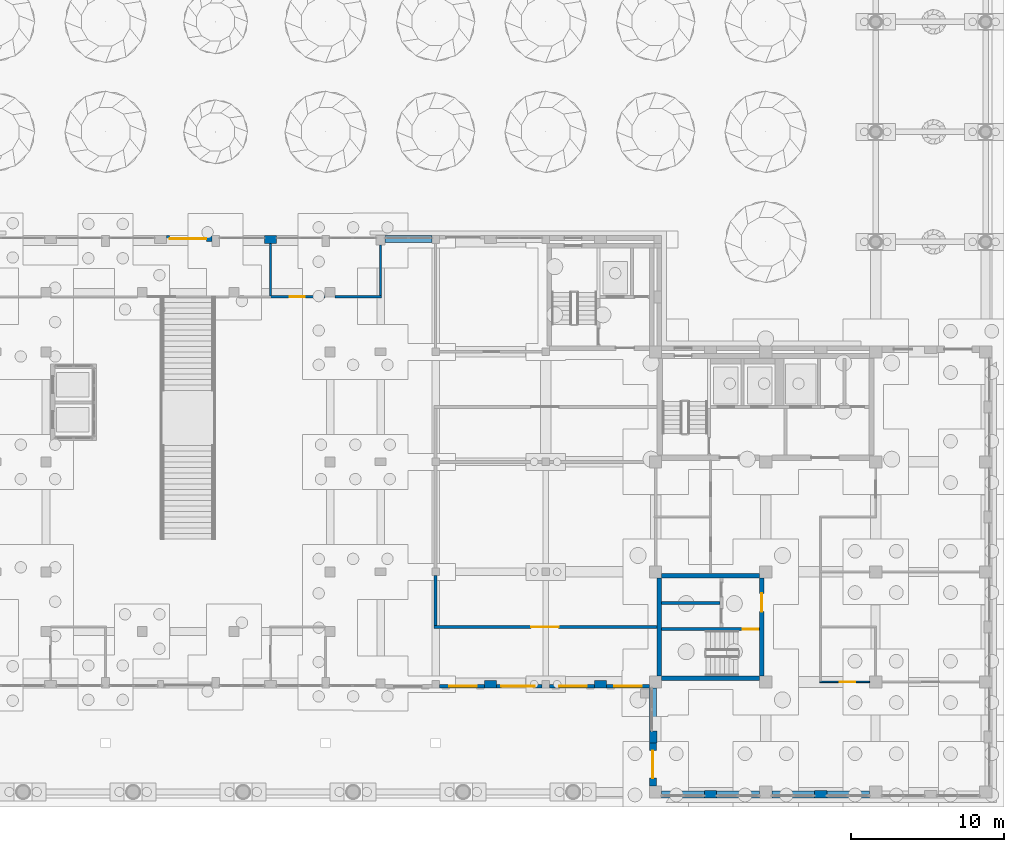
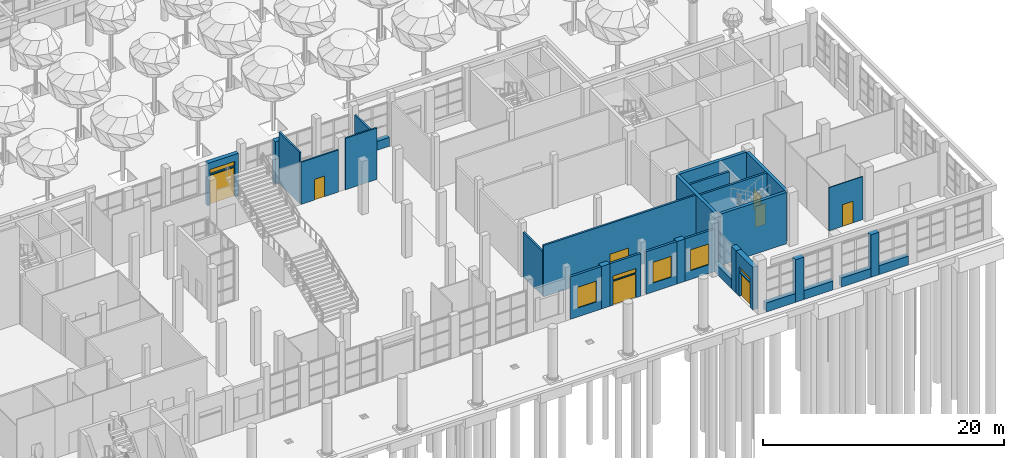
# One storey, part 44 of 80: 31 walls, 8 doors, 6 windows, 14 openings.
"""IFC4 building model written with IfcOpenShell, lengths in metres."""

from ifc_helpers import new_model, si_unit, direction, frame, frame_2d, origin, place, context, subcontext, project, spatial, rectangle, extrude, material, layer, layer_set, type_object, element, fill, save


model = new_model("IFC4")

# Units and contexts
model_context = context("Model", 3, precision=1e-05, world=origin(), true_north=direction((0.0, 1.0)))
body_context = subcontext(model_context, "Body", "Model", "MODEL_VIEW")
ifc_project = project(units=[si_unit("LENGTHUNIT", "METRE"), si_unit("AREAUNIT", "SQUARE_METRE"), si_unit("VOLUMEUNIT", "CUBIC_METRE"), si_unit("PLANEANGLEUNIT", "RADIAN"), si_unit("MASSUNIT", "GRAM", prefix="KILO")], contexts=[model_context])

# Site, building, storey
site_placement = place(None, origin())
site = spatial("IfcSite", under=ifc_project, at=site_placement, CompositionType="ELEMENT")
building_placement = place(site_placement, origin())
building = spatial("IfcBuilding", under=site, at=building_placement, Name="Ussher Court Research Institute", CompositionType="ELEMENT")
storey_placement = place(building_placement, origin())
storey = spatial("IfcBuildingStorey", under=building, at=storey_placement, Name="L00", CompositionType="ELEMENT", Elevation=0.0)

# Wall, opening, door
ifc_material_1 = material(Name="Plasterboard on steel studs with mineral wool", Category="steel")
ifc_layer_1 = layer(ifc_material_1, 0.179931640625)
ifc_layer_set_1 = layer_set([ifc_layer_1], Name="Plasterboard on steel studs with mineral wool")
wall_type_1 = type_object("IfcWallType", Name="Acoustic twin-stud partition 180", PredefinedType="PARTITIONING", material=ifc_layer_set_1)
wall_1_placement = place(storey_placement, frame((82.300048828125, 14.800048828125, 0.0), z_axis=(0.0, 0.0, 1.0), x_axis=(-1.0, 0.0, 0.0)))
wall_1 = element("IfcWall", 1, at=wall_1_placement, inside=storey, type_object=wall_type_1, Name="Partition", PredefinedType="PARTITIONING", context=body_context, shape_type="SweptSolid", body=[
    extrude(rectangle(XDim=14.590087890625, YDim=0.179931640625, at=frame_2d((7.294921875, 0.0))), origin(), (0.0, 0.0, 1.0), 5.199951171875),
])
opening_1_placement = place(wall_1_placement, frame((6.449951171875, 0.0, 0.0)))
opening_1 = element("IfcOpeningElement", 2, at=opening_1_placement, cuts=wall_1, Name="Opening D00058", PredefinedType="OPENING", context=body_context, shape_type="SweptSolid", body=[
    extrude(rectangle(XDim=1.800048828125, YDim=2.10009765625, at=frame_2d((0.89990234375, 1.050048828125))), frame((0.0, 0.10009765625, 0.0), z_axis=(0.0, -1.0, 0.0), x_axis=(1.0, 0.0, 0.0)), (0.0, 0.0, 1.0), 0.199951171875),
])
ifc_material_2 = material(Name="Veneered timber door", Category="wood")
door_type_1 = type_object("IfcDoorType", Name="Library door 1800x2100 double leaf", OperationType="DOUBLE_DOOR_SINGLE_SWING", PredefinedType="DOOR", material=ifc_material_2)
door_1_placement = place(opening_1_placement, origin())
door_1 = element("IfcDoor", 3, at=door_1_placement, inside=storey, type_object=door_type_1, Name="Door D00058", OperationType="SINGLE_SWING_LEFT", OverallHeight=2.10009765625, OverallWidth=1.800048828125, PredefinedType="DOOR", context=body_context, shape_type="SweptSolid", body=[
    extrude(rectangle(XDim=1.800048828125, YDim=2.10009765625, at=frame_2d((0.89990234375, 1.050048828125))), frame((0.0, 0.02490234375, 0.0), z_axis=(0.0, -1.0, 0.0), x_axis=(1.0, 0.0, 0.0)), (0.0, 0.0, 1.0), 0.050048828125),
])
fill(opening_1, door_1)

# Wall
wall_2_placement = place(storey_placement, frame((67.800048828125, 14.889892578125, 0.0), z_axis=(0.0, 0.0, 1.0), x_axis=(0.0, 1.0, 0.0)))
element("IfcWall", 4, at=wall_2_placement, inside=storey, type_object=wall_type_1, Name="Partition", PredefinedType="PARTITIONING", context=body_context, shape_type="SweptSolid", body=[
    extrude(rectangle(XDim=3.260009765625, YDim=0.179931640625, at=frame_2d((1.6298828125, 0.0))), origin(), (0.0, 0.0, 1.0), 4.469970703125),
])

# Wall, openings, door, window
ifc_material_3 = material(Name="Limestone facing on cavity blockwork", Category="masonry")
ifc_layer_2 = layer(ifc_material_3, 0.3798828125)
ifc_layer_set_2 = layer_set([ifc_layer_2], Name="Limestone facing on cavity blockwork")
wall_type_2 = type_object("IfcWallType", Name="Atrium wall 380 limestone faced cavity block", PredefinedType="SOLIDWALL", material=ifc_layer_set_2)
wall_3_placement = place(storey_placement, frame((50.199951171875, 40.2099609375, 0.0), z_axis=(0.0, 0.0, 1.0), x_axis=(1.0, 0.0, 0.0)))
wall_3 = element("IfcWall", 5, at=wall_3_placement, inside=storey, type_object=wall_type_2, Name="External wall EW7 L00", PredefinedType="SOLIDWALL", context=body_context, shape_type="SweptSolid", body=[
    extrude(rectangle(XDim=2.949951171875, YDim=0.3798828125, at=frame_2d((1.47509765625, 0.0))), origin(), (0.0, 0.0, 1.0), 4.300048828125),
])
opening_2_placement = place(wall_3_placement, frame((0.199951171875, 0.0, 0.0)))
opening_2 = element("IfcOpeningElement", 6, at=opening_2_placement, cuts=wall_3, Name="Opening DX06", PredefinedType="OPENING", context=body_context, shape_type="SweptSolid", body=[
    extrude(rectangle(XDim=2.39990234375, YDim=3.0, at=frame_2d((1.199951171875, 1.5))), frame((0.0, 0.199951171875, 0.0), z_axis=(0.0, -1.0, 0.0), x_axis=(1.0, 0.0, 0.0)), (0.0, 0.0, 1.0), 0.39990234375),
])
opening_3_placement = place(wall_3_placement, frame((0.199951171875, 0.0, 3.10009765625)))
opening_3 = element("IfcOpeningElement", 7, at=opening_3_placement, cuts=wall_3, Name="Opening W24", PredefinedType="OPENING", context=body_context, shape_type="SweptSolid", body=[
    extrude(rectangle(XDim=2.39990234375, YDim=0.5, at=frame_2d((1.199951171875, 0.25))), frame((0.0, 0.199951171875, 0.0), z_axis=(0.0, -1.0, 0.0), x_axis=(1.0, 0.0, 0.0)), (0.0, 0.0, 1.0), 0.39990234375),
])
ifc_material_4 = material(Name="Bronze anodised aluminium with toughened glass", Category="aluminium")
door_type_2 = type_object("IfcDoorType", Name="Court entrance double door 2400x3000", OperationType="DOUBLE_DOOR_SINGLE_SWING", PredefinedType="DOOR", material=ifc_material_4)
door_2_placement = place(opening_2_placement, origin())
door_2 = element("IfcDoor", 8, at=door_2_placement, inside=storey, type_object=door_type_2, Name="Door DX06", OperationType="SINGLE_SWING_LEFT", OverallHeight=3.0, OverallWidth=2.39990234375, PredefinedType="DOOR", context=body_context, shape_type="SweptSolid", body=[
    extrude(rectangle(XDim=2.39990234375, YDim=3.0, at=frame_2d((1.199951171875, 1.5))), frame((0.0, 0.02490234375, 0.0), z_axis=(0.0, -1.0, 0.0), x_axis=(1.0, 0.0, 0.0)), (0.0, 0.0, 1.0), 0.050048828125),
])
fill(opening_2, door_2)
ifc_material_5 = material(Name="Bronze anodised aluminium with double glazing", Category="aluminium")
window_type_1 = type_object("IfcWindowType", Name="Court entrance transom light 2400x500", PartitioningType="SINGLE_PANEL", PredefinedType="WINDOW", material=ifc_material_5)
window_1_placement = place(opening_3_placement, origin())
window_1 = element("IfcWindow", 9, at=window_1_placement, inside=storey, type_object=window_type_1, Name="Window W24 L00", OverallHeight=0.5, OverallWidth=2.39990234375, PartitioningType="SINGLE_PANEL", PredefinedType="WINDOW", context=body_context, shape_type="SweptSolid", body=[
    extrude(rectangle(XDim=2.39990234375, YDim=0.5, at=frame_2d((1.199951171875, 0.25))), frame((0.0, 0.030029296875, 0.0), z_axis=(0.0, -1.0, 0.0), x_axis=(1.0, 0.0, 0.0)), (0.0, 0.0, 1.0), 0.06005859375),
])
fill(opening_3, window_1)

# Wall, opening, door
ifc_material_6 = material(Name="Plastered blockwork", Category="masonry")
ifc_layer_3 = layer(ifc_material_6, 0.14990234375)
ifc_layer_set_3 = layer_set([ifc_layer_3], Name="Plastered blockwork")
wall_type_3 = type_object("IfcWallType", Name="Fire partition blockwork 150 EI 60", PredefinedType="PARTITIONING", material=ifc_layer_set_3)
wall_4_placement = place(storey_placement, frame((57.0, 36.39990234375, 0.0), z_axis=(0.0, 0.0, 1.0), x_axis=(1.0, 0.0, 0.0)))
wall_4 = element("IfcWall", 10, at=wall_4_placement, inside=storey, type_object=wall_type_3, Name="Fire partition", PredefinedType="PARTITIONING", context=body_context, shape_type="SweptSolid", body=[
    extrude(rectangle(XDim=3.574951171875, YDim=0.14990234375, at=frame_2d((1.78759765625, 0.0))), origin(), (0.0, 0.0, 1.0), 4.27001953125),
])
opening_4_placement = place(wall_4_placement, frame((1.25, 0.0, 0.0)))
opening_4 = element("IfcOpeningElement", 11, at=opening_4_placement, cuts=wall_4, Name="Opening D00048", PredefinedType="OPENING", context=body_context, shape_type="SweptSolid", body=[
    extrude(rectangle(XDim=1.0, YDim=2.10009765625, at=frame_2d((0.5, 1.050048828125))), frame((0.0, 0.0849609375, 0.0), z_axis=(0.0, -1.0, 0.0), x_axis=(1.0, 0.0, 0.0)), (0.0, 0.0, 1.0), 0.169921875),
])
ifc_material_7 = material(Name="Painted steel faced fire door", Category="steel")
door_type_3 = type_object("IfcDoorType", Name="Kitchen door 1000x2100 FD60", OperationType="NOTDEFINED", PredefinedType="DOOR", material=ifc_material_7)
door_3_placement = place(opening_4_placement, origin())
door_3 = element("IfcDoor", 12, at=door_3_placement, inside=storey, type_object=door_type_3, Name="Door D00048", OperationType="SINGLE_SWING_LEFT", OverallHeight=2.10009765625, OverallWidth=1.0, PredefinedType="DOOR", context=body_context, shape_type="SweptSolid", body=[
    extrude(rectangle(XDim=1.0, YDim=2.10009765625, at=frame_2d((0.5, 1.050048828125))), frame((0.0, 0.02490234375, 0.0), z_axis=(0.0, -1.0, 0.0), x_axis=(1.0, 0.0, 0.0)), (0.0, 0.0, 1.0), 0.050048828125),
])
fill(opening_4, door_3)

# Walls
wall_5_placement = place(storey_placement, frame((61.22509765625, 36.39990234375, 0.0), z_axis=(0.0, 0.0, 1.0), x_axis=(1.0, 0.0, 0.0)))
element("IfcWall", 13, at=wall_5_placement, inside=storey, type_object=wall_type_3, Name="Fire partition", PredefinedType="PARTITIONING", context=body_context, shape_type="SweptSolid", body=[
    extrude(rectangle(XDim=3.0498046875, YDim=0.14990234375, at=frame_2d((1.52490234375, 0.0))), origin(), (0.0, 0.0, 1.0), 5.199951171875),
])
wall_6_placement = place(storey_placement, frame((57.0, 36.449951171875, 0.0), z_axis=(0.0, 0.0, 1.0), x_axis=(0.0, 1.0, 0.0)))
element("IfcWall", 14, at=wall_6_placement, inside=storey, type_object=wall_type_3, Name="Fire partition", PredefinedType="PARTITIONING", context=body_context, shape_type="SweptSolid", body=[
    extrude(rectangle(XDim=3.449951171875, YDim=0.14990234375, at=frame_2d((1.72509765625, 0.0))), origin(), (0.0, 0.0, 1.0), 5.199951171875),
])
wall_7_placement = place(storey_placement, frame((64.199951171875, 36.47509765625, 0.0), z_axis=(0.0, 0.0, 1.0), x_axis=(0.0, 1.0, 0.0)))
element("IfcWall", 15, at=wall_7_placement, inside=storey, type_object=wall_type_3, Name="Fire partition", PredefinedType="PARTITIONING", context=body_context, shape_type="SweptSolid", body=[
    extrude(rectangle(XDim=3.324951171875, YDim=0.14990234375, at=frame_2d((1.66259765625, 0.0))), origin(), (0.0, 0.0, 1.0), 4.469970703125),
])

# Wall, opening, window
ifc_material_8 = material(Name="Limestone facing on insulated blockwork", Category="masonry")
ifc_layer_4 = layer(ifc_material_8, 0.219970703125)
ifc_layer_set_4 = layer_set([ifc_layer_4], Name="Limestone facing on insulated blockwork")
wall_type_4 = type_object("IfcWallType", Name="Link wall 220 limestone faced insulated block", PredefinedType="SOLIDWALL", material=ifc_layer_set_4)
wall_8_placement = place(storey_placement, frame((81.800048828125, 10.909912109375, 0.0), z_axis=(0.0, 0.0, 1.0), x_axis=(-1.0, 0.0, 0.0)))
wall_8 = element("IfcWall", 16, at=wall_8_placement, inside=storey, type_object=wall_type_4, Name="External wall EW6 L00", PredefinedType="SOLIDWALL", context=body_context, shape_type="SweptSolid", body=[
    extrude(rectangle(XDim=2.800048828125, YDim=0.219970703125, at=frame_2d((1.39990234375, 0.0))), origin(), (0.0, 0.0, 1.0), 4.300048828125),
])
opening_5_placement = place(wall_8_placement, frame((0.5, 0.0, 0.89990234375)))
opening_5 = element("IfcOpeningElement", 17, at=opening_5_placement, cuts=wall_8, Name="Opening W09", PredefinedType="OPENING", context=body_context, shape_type="SweptSolid", body=[
    extrude(rectangle(XDim=1.800048828125, YDim=2.10009765625, at=frame_2d((0.89990234375, 1.050048828125))), frame((0.0, 0.1201171875, 0.0), z_axis=(0.0, -1.0, 0.0), x_axis=(1.0, 0.0, 0.0)), (0.0, 0.0, 1.0), 0.239990234375),
])
ifc_material_9 = material(Name="Bronze anodised aluminium with double glazing", Category="aluminium")
window_type_2 = type_object("IfcWindowType", Name="Reading link ground floor window 1800x2100", PartitioningType="DOUBLE_PANEL_VERTICAL", PredefinedType="WINDOW", material=ifc_material_9)
window_2_placement = place(opening_5_placement, origin())
window_2 = element("IfcWindow", 18, at=window_2_placement, inside=storey, type_object=window_type_2, Name="Window W09 L00", OverallHeight=2.10009765625, OverallWidth=1.800048828125, PartitioningType="SINGLE_PANEL", PredefinedType="WINDOW", context=body_context, shape_type="SweptSolid", body=[
    extrude(rectangle(XDim=1.800048828125, YDim=2.10009765625, at=frame_2d((0.89990234375, 1.050048828125))), frame((0.0, 0.030029296875, 0.0), z_axis=(0.0, -1.0, 0.0), x_axis=(1.0, 0.0, 0.0)), (0.0, 0.0, 1.0), 0.06005859375),
])
fill(opening_5, window_2)

wall_9_placement = place(storey_placement, frame((78.199951171875, 10.909912109375, 0.0), z_axis=(0.0, 0.0, 1.0), x_axis=(-1.0, 0.0, 0.0)))
wall_9 = element("IfcWall", 19, at=wall_9_placement, inside=storey, type_object=wall_type_4, Name="External wall EW6 L00", PredefinedType="SOLIDWALL", context=body_context, shape_type="SweptSolid", body=[
    extrude(rectangle(XDim=2.949951171875, YDim=0.219970703125, at=frame_2d((1.47509765625, 0.0))), origin(), (0.0, 0.0, 1.0), 4.300048828125),
])
opening_6_placement = place(wall_9_placement, frame((0.5, 0.0, 0.89990234375)))
opening_6 = element("IfcOpeningElement", 20, at=opening_6_placement, cuts=wall_9, Name="Opening W09", PredefinedType="OPENING", context=body_context, shape_type="SweptSolid", body=[
    extrude(rectangle(XDim=1.800048828125, YDim=2.10009765625, at=frame_2d((0.89990234375, 1.050048828125))), frame((0.0, 0.1201171875, 0.0), z_axis=(0.0, -1.0, 0.0), x_axis=(1.0, 0.0, 0.0)), (0.0, 0.0, 1.0), 0.239990234375),
])
window_3_placement = place(opening_6_placement, origin())
window_3 = element("IfcWindow", 21, at=window_3_placement, inside=storey, type_object=window_type_2, Name="Window W09 L00", OverallHeight=2.10009765625, OverallWidth=1.800048828125, PartitioningType="SINGLE_PANEL", PredefinedType="WINDOW", context=body_context, shape_type="SweptSolid", body=[
    extrude(rectangle(XDim=1.800048828125, YDim=2.10009765625, at=frame_2d((0.89990234375, 1.050048828125))), frame((0.0, 0.030029296875, 0.0), z_axis=(0.0, -1.0, 0.0), x_axis=(1.0, 0.0, 0.0)), (0.0, 0.0, 1.0), 0.06005859375),
])
fill(opening_6, window_3)

# Wall, openings, door, window
wall_10_placement = place(storey_placement, frame((74.75, 10.909912109375, 0.0), z_axis=(0.0, 0.0, 1.0), x_axis=(-1.0, 0.0, 0.0)))
wall_10 = element("IfcWall", 22, at=wall_10_placement, inside=storey, type_object=wall_type_4, Name="External wall EW6 L00", PredefinedType="SOLIDWALL", context=body_context, shape_type="SweptSolid", body=[
    extrude(rectangle(XDim=2.949951171875, YDim=0.219970703125, at=frame_2d((1.47509765625, 0.0))), origin(), (0.0, 0.0, 1.0), 4.300048828125),
])
opening_7_placement = place(wall_10_placement, frame((0.449951171875, 0.0, 0.0)))
opening_7 = element("IfcOpeningElement", 23, at=opening_7_placement, cuts=wall_10, Name="Opening DX29", PredefinedType="OPENING", context=body_context, shape_type="SweptSolid", body=[
    extrude(rectangle(XDim=2.199951171875, YDim=2.39990234375, at=frame_2d((1.10009765625, 1.199951171875))), frame((0.0, 0.1201171875, 0.0), z_axis=(0.0, -1.0, 0.0), x_axis=(1.0, 0.0, 0.0)), (0.0, 0.0, 1.0), 0.239990234375),
])
opening_8_placement = place(wall_10_placement, frame((0.449951171875, 0.0, 2.5)))
opening_8 = element("IfcOpeningElement", 24, at=opening_8_placement, cuts=wall_10, Name="Opening W22", PredefinedType="OPENING", context=body_context, shape_type="SweptSolid", body=[
    extrude(rectangle(XDim=2.199951171875, YDim=0.449951171875, at=frame_2d((1.10009765625, 0.22509765625))), frame((0.0, 0.1201171875, 0.0), z_axis=(0.0, -1.0, 0.0), x_axis=(1.0, 0.0, 0.0)), (0.0, 0.0, 1.0), 0.239990234375),
])
ifc_material_10 = material(Name="Bronze anodised aluminium with toughened glass", Category="aluminium")
door_type_4 = type_object("IfcDoorType", Name="Reading link entrance double door 2200x2400", OperationType="DOUBLE_DOOR_SINGLE_SWING", PredefinedType="DOOR", material=ifc_material_10)
door_4_placement = place(opening_7_placement, origin())
door_4 = element("IfcDoor", 25, at=door_4_placement, inside=storey, type_object=door_type_4, Name="Door DX29", OperationType="SINGLE_SWING_LEFT", OverallHeight=2.39990234375, OverallWidth=2.199951171875, PredefinedType="DOOR", context=body_context, shape_type="SweptSolid", body=[
    extrude(rectangle(XDim=2.199951171875, YDim=2.39990234375, at=frame_2d((1.10009765625, 1.199951171875))), frame((0.0, 0.02490234375, 0.0), z_axis=(0.0, -1.0, 0.0), x_axis=(1.0, 0.0, 0.0)), (0.0, 0.0, 1.0), 0.050048828125),
])
fill(opening_7, door_4)
ifc_material_11 = material(Name="Bronze anodised aluminium with double glazing", Category="aluminium")
window_type_3 = type_object("IfcWindowType", Name="Reading link entrance transom light 2200x450", PartitioningType="SINGLE_PANEL", PredefinedType="WINDOW", material=ifc_material_11)
window_4_placement = place(opening_8_placement, origin())
window_4 = element("IfcWindow", 26, at=window_4_placement, inside=storey, type_object=window_type_3, Name="Window W22 L00", OverallHeight=0.449951171875, OverallWidth=2.199951171875, PartitioningType="SINGLE_PANEL", PredefinedType="WINDOW", context=body_context, shape_type="SweptSolid", body=[
    extrude(rectangle(XDim=2.199951171875, YDim=0.449951171875, at=frame_2d((1.10009765625, 0.22509765625))), frame((0.0, 0.030029296875, 0.0), z_axis=(0.0, -1.0, 0.0), x_axis=(1.0, 0.0, 0.0)), (0.0, 0.0, 1.0), 0.06005859375),
])
fill(opening_8, window_4)

# Wall, opening, window
wall_11_placement = place(storey_placement, frame((71.0, 10.909912109375, 0.0), z_axis=(0.0, 0.0, 1.0), x_axis=(-1.0, 0.0, 0.0)))
wall_11 = element("IfcWall", 27, at=wall_11_placement, inside=storey, type_object=wall_type_4, Name="External wall EW6 L00", PredefinedType="SOLIDWALL", context=body_context, shape_type="SweptSolid", body=[
    extrude(rectangle(XDim=2.949951171875, YDim=0.219970703125, at=frame_2d((1.47509765625, 0.0))), origin(), (0.0, 0.0, 1.0), 4.300048828125),
])
opening_9_placement = place(wall_11_placement, frame((0.5, 0.0, 0.89990234375)))
opening_9 = element("IfcOpeningElement", 28, at=opening_9_placement, cuts=wall_11, Name="Opening W09", PredefinedType="OPENING", context=body_context, shape_type="SweptSolid", body=[
    extrude(rectangle(XDim=1.800048828125, YDim=2.10009765625, at=frame_2d((0.89990234375, 1.050048828125))), frame((0.0, 0.1201171875, 0.0), z_axis=(0.0, -1.0, 0.0), x_axis=(1.0, 0.0, 0.0)), (0.0, 0.0, 1.0), 0.239990234375),
])
window_5_placement = place(opening_9_placement, origin())
window_5 = element("IfcWindow", 29, at=window_5_placement, inside=storey, type_object=window_type_2, Name="Window W09 L00", OverallHeight=2.10009765625, OverallWidth=1.800048828125, PartitioningType="SINGLE_PANEL", PredefinedType="WINDOW", context=body_context, shape_type="SweptSolid", body=[
    extrude(rectangle(XDim=1.800048828125, YDim=2.10009765625, at=frame_2d((0.89990234375, 1.050048828125))), frame((0.0, 0.030029296875, 0.0), z_axis=(0.0, -1.0, 0.0), x_axis=(1.0, 0.0, 0.0)), (0.0, 0.0, 1.0), 0.06005859375),
])
fill(opening_9, window_5)

# Walls
ifc_material_12 = material(Name="Rusticated limestone facing on blockwork", Category="masonry")
ifc_layer_5 = layer(ifc_material_12, 0.5)
ifc_layer_set_5 = layer_set([ifc_layer_5], Name="Rusticated limestone facing on blockwork")
wall_type_5 = type_object("IfcWallType", Name="Pier 800x500 rusticated limestone", PredefinedType="SOLIDWALL", material=ifc_layer_set_5)
for number, where, z_axis, x_axis, name in (
    (30, (56.60009765625, 40.14990234375, 0.0), (0.0, 0.0, 1.0), (1.0, 0.0, 0.0), "Pier PR2 L00"),
    (31, (93.39990234375, 3.85009765625, 0.0), (0.0, 0.0, 1.0), (-1.0, 0.0, 0.0), "Pier PR2 L00"),
):
    element("IfcWall", number, at=place(storey_placement, frame(where, z_axis=z_axis, x_axis=x_axis)), inside=storey, type_object=wall_type_5, Name=name, PredefinedType="SOLIDWALL", context=body_context, shape_type="SweptSolid", body=[
        extrude(rectangle(XDim=0.7998046875, YDim=0.5, at=frame_2d((0.39990234375, 0.0))), origin(), (0.0, 0.0, 1.0), 4.300048828125),
    ])
for number, where, z_axis, x_axis, name in (
    (32, (86.199951171875, 3.85009765625, 0.0), (0.0, 0.0, 1.0), (-1.0, 0.0, 0.0), "Pier PR2 L00"),
    (33, (82.050048828125, 7.199951171875, 0.0), (0.0, 0.0, 1.0), (0.0, 1.0, 0.0), "Pier PR2 L00"),
    (34, (79.0, 11.050048828125, 0.0), (0.0, 0.0, 1.0), (-1.0, 0.0, 0.0), "Pier PR2 L00"),
    (35, (71.800048828125, 11.050048828125, 0.0), (0.0, 0.0, 1.0), (-1.0, 0.0, 0.0), "Pier PR2 L00"),
):
    element("IfcWall", number, at=place(storey_placement, frame(where, z_axis=z_axis, x_axis=x_axis)), inside=storey, type_object=wall_type_5, Name=name, PredefinedType="SOLIDWALL", context=body_context, shape_type="SweptSolid", body=[
        extrude(rectangle(XDim=0.800048828125, YDim=0.5, at=frame_2d((0.39990234375, 0.0))), origin(), (0.0, 0.0, 1.0), 4.300048828125),
    ])
ifc_material_13 = material(Name="Rusticated limestone facing on blockwork", Category="masonry")
ifc_layer_6 = layer(ifc_material_13, 0.449951171875)
ifc_layer_set_6 = layer_set([ifc_layer_6], Name="Rusticated limestone facing on blockwork")
wall_type_6 = type_object("IfcWallType", Name="Plinth wall 450 rusticated limestone", PredefinedType="SOLIDWALL", material=ifc_layer_set_6)
wall_12_placement = place(storey_placement, frame((64.5, 40.175048828125, 0.0), z_axis=(0.0, 0.0, 1.0), x_axis=(1.0, 0.0, 0.0)))
element("IfcWall", 36, at=wall_12_placement, inside=storey, type_object=wall_type_6, Name="Plinth wall EW4 L00", PredefinedType="SOLIDWALL", context=body_context, shape_type="SweptSolid", body=[
    extrude(rectangle(XDim=3.050048828125, YDim=0.449951171875, at=frame_2d((1.52490234375, 0.0))), origin(), (0.0, 0.0, 1.0), 0.89990234375),
])
for number, where, z_axis, x_axis, name in (
    (37, (96.199951171875, 3.824951171875, 0.0), (0.0, 0.0, 1.0), (-1.0, 0.0, 0.0), "Plinth wall EW4 L00"),
    (38, (92.60009765625, 3.824951171875, 0.0), (0.0, 0.0, 1.0), (-1.0, 0.0, 0.0), "Plinth wall EW4 L00"),
    (39, (89.0, 3.824951171875, 0.0), (0.0, 0.0, 1.0), (-1.0, 0.0, 0.0), "Plinth wall EW4 L00"),
):
    element("IfcWall", number, at=place(storey_placement, frame(where, z_axis=z_axis, x_axis=x_axis)), inside=storey, type_object=wall_type_6, Name=name, PredefinedType="SOLIDWALL", context=body_context, shape_type="SweptSolid", body=[
        extrude(rectangle(XDim=2.800048828125, YDim=0.449951171875, at=frame_2d((1.39990234375, 0.0))), origin(), (0.0, 0.0, 1.0), 0.89990234375),
    ])
wall_13_placement = place(storey_placement, frame((85.39990234375, 3.824951171875, 0.0), z_axis=(0.0, 0.0, 1.0), x_axis=(-1.0, 0.0, 0.0)))
element("IfcWall", 40, at=wall_13_placement, inside=storey, type_object=wall_type_6, Name="Plinth wall EW4 L00", PredefinedType="SOLIDWALL", context=body_context, shape_type="SweptSolid", body=[
    extrude(rectangle(XDim=2.7998046875, YDim=0.449951171875, at=frame_2d((1.39990234375, 0.0))), origin(), (0.0, 0.0, 1.0), 0.89990234375),
])

# Wall, openings, door, window
wall_14_placement = place(storey_placement, frame((82.02490234375, 4.39990234375, 0.0), z_axis=(0.0, 0.0, 1.0), x_axis=(0.0, 1.0, 0.0)))
wall_14 = element("IfcWall", 41, at=wall_14_placement, inside=storey, type_object=wall_type_6, Name="External wall EW4 L00", PredefinedType="SOLIDWALL", context=body_context, shape_type="SweptSolid", body=[
    extrude(rectangle(XDim=2.800048828125, YDim=0.449951171875, at=frame_2d((1.39990234375, 0.0))), origin(), (0.0, 0.0, 1.0), 4.300048828125),
])
opening_10_placement = place(wall_14_placement, frame((0.5, 0.0, 0.0)))
opening_10 = element("IfcOpeningElement", 42, at=opening_10_placement, cuts=wall_14, Name="Opening DX15", PredefinedType="OPENING", context=body_context, shape_type="SweptSolid", body=[
    extrude(rectangle(XDim=1.800048828125, YDim=2.39990234375, at=frame_2d((0.89990234375, 1.199951171875))), frame((0.0, 0.23486328125, 0.0), z_axis=(0.0, -1.0, 0.0), x_axis=(1.0, 0.0, 0.0)), (0.0, 0.0, 1.0), 0.469970703125),
])
opening_11_placement = place(wall_14_placement, frame((0.5, 0.0, 2.5)))
opening_11 = element("IfcOpeningElement", 43, at=opening_11_placement, cuts=wall_14, Name="Opening W16", PredefinedType="OPENING", context=body_context, shape_type="SweptSolid", body=[
    extrude(rectangle(XDim=1.800048828125, YDim=0.449951171875, at=frame_2d((0.89990234375, 0.22509765625))), frame((0.0, 0.23486328125, 0.0), z_axis=(0.0, -1.0, 0.0), x_axis=(1.0, 0.0, 0.0)), (0.0, 0.0, 1.0), 0.469970703125),
])
ifc_material_14 = material(Name="Bronze anodised aluminium with toughened glass", Category="aluminium")
door_type_5 = type_object("IfcDoorType", Name="Entrance double door 1800x2400", OperationType="DOUBLE_DOOR_SINGLE_SWING", PredefinedType="DOOR", material=ifc_material_14)
door_5_placement = place(opening_10_placement, origin())
door_5 = element("IfcDoor", 44, at=door_5_placement, inside=storey, type_object=door_type_5, Name="Door DX15", OperationType="SINGLE_SWING_LEFT", OverallHeight=2.39990234375, OverallWidth=1.800048828125, PredefinedType="DOOR", context=body_context, shape_type="SweptSolid", body=[
    extrude(rectangle(XDim=1.800048828125, YDim=2.39990234375, at=frame_2d((0.89990234375, 1.199951171875))), frame((0.0, 0.02490234375, 0.0), z_axis=(0.0, -1.0, 0.0), x_axis=(1.0, 0.0, 0.0)), (0.0, 0.0, 1.0), 0.050048828125),
])
fill(opening_10, door_5)
ifc_material_15 = material(Name="Bronze anodised aluminium with double glazing", Category="aluminium")
window_type_4 = type_object("IfcWindowType", Name="Entrance transom light 1800x450", PartitioningType="SINGLE_PANEL", PredefinedType="WINDOW", material=ifc_material_15)
window_6_placement = place(opening_11_placement, origin())
window_6 = element("IfcWindow", 45, at=window_6_placement, inside=storey, type_object=window_type_4, Name="Window W16 L00", OverallHeight=0.449951171875, OverallWidth=1.800048828125, PartitioningType="SINGLE_PANEL", PredefinedType="WINDOW", context=body_context, shape_type="SweptSolid", body=[
    extrude(rectangle(XDim=1.800048828125, YDim=0.449951171875, at=frame_2d((0.89990234375, 0.22509765625))), frame((0.0, 0.030029296875, 0.0), z_axis=(0.0, -1.0, 0.0), x_axis=(1.0, 0.0, 0.0)), (0.0, 0.0, 1.0), 0.06005859375),
])
fill(opening_11, window_6)

# Wall
wall_15_placement = place(storey_placement, frame((82.02490234375, 8.0, 0.0), z_axis=(0.0, 0.0, 1.0), x_axis=(0.0, 1.0, 0.0)))
element("IfcWall", 46, at=wall_15_placement, inside=storey, type_object=wall_type_6, Name="Plinth wall EW4 L00", PredefinedType="SOLIDWALL", context=body_context, shape_type="SweptSolid", body=[
    extrude(rectangle(XDim=2.800048828125, YDim=0.449951171875, at=frame_2d((1.39990234375, 0.0))), origin(), (0.0, 0.0, 1.0), 0.89990234375),
])

# Wall, opening, door
ifc_material_16 = material(Name="Concrete C35/45", Category="concrete")
ifc_layer_7 = layer(ifc_material_16, 0.199951171875)
ifc_layer_set_7 = layer_set([ifc_layer_7], Name="Concrete C35/45")
wall_type_7 = type_object("IfcWallType", Name="RC core wall 200", PredefinedType="SHEAR", material=ifc_layer_set_7)
wall_16_placement = place(storey_placement, frame((82.60009765625, 14.64990234375, 0.0), z_axis=(0.0, 0.0, 1.0), x_axis=(1.0, 0.0, 0.0)))
wall_16 = element("IfcWall", 47, at=wall_16_placement, inside=storey, type_object=wall_type_7, Name="Core wall T2", PredefinedType="SHEAR", context=body_context, shape_type="SweptSolid", body=[
    extrude(rectangle(XDim=6.39990234375, YDim=0.199951171875, at=frame_2d((3.199951171875, 0.0))), origin(), (0.0, 0.0, 1.0), 5.199951171875),
])
opening_12_placement = place(wall_16_placement, frame((5.300048828125, 0.0, 0.0)))
opening_12 = element("IfcOpeningElement", 48, at=opening_12_placement, cuts=wall_16, Name="Opening D00081", PredefinedType="OPENING", context=body_context, shape_type="SweptSolid", body=[
    extrude(rectangle(XDim=1.0, YDim=2.10009765625, at=frame_2d((0.5, 1.050048828125))), frame((0.0, 0.10986328125, 0.0), z_axis=(0.0, -1.0, 0.0), x_axis=(1.0, 0.0, 0.0)), (0.0, 0.0, 1.0), 0.219970703125),
])
ifc_material_17 = material(Name="Painted steel faced fire door", Category="steel")
door_type_6 = type_object("IfcDoorType", Name="Fire door 1000x2100 FD60", OperationType="NOTDEFINED", PredefinedType="DOOR", material=ifc_material_17)
door_6_placement = place(opening_12_placement, origin())
door_6 = element("IfcDoor", 49, at=door_6_placement, inside=storey, type_object=door_type_6, Name="Door D00081", OperationType="SINGLE_SWING_RIGHT", OverallHeight=2.10009765625, OverallWidth=1.0, PredefinedType="DOOR", context=body_context, shape_type="SweptSolid", body=[
    extrude(rectangle(XDim=1.0, YDim=2.10009765625, at=frame_2d((0.5, 1.050048828125))), frame((0.0, 0.02490234375, 0.0), z_axis=(0.0, -1.0, 0.0), x_axis=(1.0, 0.0, 0.0)), (0.0, 0.0, 1.0), 0.050048828125),
])
fill(opening_12, door_6)

# Wall
wall_17_placement = place(storey_placement, frame((82.60009765625, 16.375, 0.0), z_axis=(0.0, 0.0, 1.0), x_axis=(1.0, 0.0, 0.0)))
element("IfcWall", 50, at=wall_17_placement, inside=storey, type_object=wall_type_7, Name="Core wall T2", PredefinedType="SHEAR", context=body_context, shape_type="SweptSolid", body=[
    extrude(rectangle(XDim=3.7998046875, YDim=0.199951171875, at=frame_2d((1.89990234375, 0.0))), origin(), (0.0, 0.0, 1.0), 5.199951171875),
])

# Wall, opening, door
ifc_material_18 = material(Name="Concrete C35/45", Category="concrete")
ifc_layer_8 = layer(ifc_material_18, 0.300048828125)
ifc_layer_set_8 = layer_set([ifc_layer_8], Name="Concrete C35/45")
wall_type_8 = type_object("IfcWallType", Name="RC core wall 300", PredefinedType="SHEAR", material=ifc_layer_set_8)
wall_18_placement = place(storey_placement, frame((89.14990234375, 11.60009765625, 0.0), z_axis=(0.0, 0.0, 1.0), x_axis=(0.0, 1.0, 0.0)))
wall_18 = element("IfcWall", 51, at=wall_18_placement, inside=storey, type_object=wall_type_8, Name="Core wall T2", PredefinedType="SHEAR", context=body_context, shape_type="SweptSolid", body=[
    extrude(rectangle(XDim=6.39990234375, YDim=0.300048828125, at=frame_2d((3.199951171875, 0.0))), origin(), (0.0, 0.0, 1.0), 5.199951171875),
])
opening_13_placement = place(wall_18_placement, frame((4.199951171875, 0.0, 0.0)))
opening_13 = element("IfcOpeningElement", 52, at=opening_13_placement, cuts=wall_18, Name="Opening D00083", PredefinedType="OPENING", context=body_context, shape_type="SweptSolid", body=[
    extrude(rectangle(XDim=1.199951171875, YDim=2.10009765625, at=frame_2d((0.60009765625, 1.050048828125))), frame((0.0, 0.16015625, 0.0), z_axis=(0.0, -1.0, 0.0), x_axis=(1.0, 0.0, 0.0)), (0.0, 0.0, 1.0), 0.320068359375),
])
ifc_material_19 = material(Name="Painted steel faced fire door", Category="steel")
door_type_7 = type_object("IfcDoorType", Name="Fire door 1200x2100 FD60", OperationType="NOTDEFINED", PredefinedType="DOOR", material=ifc_material_19)
door_7_placement = place(opening_13_placement, origin())
door_7 = element("IfcDoor", 53, at=door_7_placement, inside=storey, type_object=door_type_7, Name="Door D00083", OperationType="SINGLE_SWING_RIGHT", OverallHeight=2.10009765625, OverallWidth=1.199951171875, PredefinedType="DOOR", context=body_context, shape_type="SweptSolid", body=[
    extrude(rectangle(XDim=1.199951171875, YDim=2.10009765625, at=frame_2d((0.60009765625, 1.050048828125))), frame((0.0, 0.02490234375, 0.0), z_axis=(0.0, -1.0, 0.0), x_axis=(1.0, 0.0, 0.0)), (0.0, 0.0, 1.0), 0.050048828125),
])
fill(opening_13, door_7)

# Walls
for number, where, z_axis, x_axis, name in (
    (54, (82.449951171875, 11.60009765625, 0.0), (0.0, 0.0, 1.0), (0.0, 1.0, 0.0), "Core wall T2"),
    (55, (82.60009765625, 11.449951171875, 0.0), (0.0, 0.0, 1.0), (1.0, 0.0, 0.0), "Core wall T2"),
    (56, (82.60009765625, 18.14990234375, 0.0), (0.0, 0.0, 1.0), (1.0, 0.0, 0.0), "Core wall T2"),
):
    element("IfcWall", number, at=place(storey_placement, frame(where, z_axis=z_axis, x_axis=x_axis)), inside=storey, type_object=wall_type_8, Name=name, PredefinedType="SHEAR", context=body_context, shape_type="SweptSolid", body=[
        extrude(rectangle(XDim=6.39990234375, YDim=0.300048828125, at=frame_2d((3.199951171875, 0.0))), origin(), (0.0, 0.0, 1.0), 5.199951171875),
    ])

# Wall, opening, door
ifc_material_20 = material(Name="Moisture-resistant board on steel studs", Category="steel")
ifc_layer_9 = layer(ifc_material_20, 0.090087890625)
ifc_layer_set_9 = layer_set([ifc_layer_9], Name="Moisture-resistant board on steel studs")
wall_type_9 = type_object("IfcWallType", Name="WC lining partition 90", PredefinedType="PARTITIONING", material=ifc_layer_set_9)
wall_19_placement = place(storey_placement, frame((92.955078125, 11.199951171875, 0.0), z_axis=(0.0, 0.0, 1.0), x_axis=(1.0, 0.0, 0.0)))
wall_19 = element("IfcWall", 57, at=wall_19_placement, inside=storey, type_object=wall_type_9, Name="Partition", PredefinedType="PARTITIONING", context=body_context, shape_type="SweptSolid", body=[
    extrude(rectangle(XDim=3.244873046875, YDim=0.090087890625, at=frame_2d((1.62255859375, 0.0))), origin(), (0.0, 0.0, 1.0), 4.3701171875),
])
opening_14_placement = place(wall_19_placement, frame((1.294921875, 0.0, 0.0)))
opening_14 = element("IfcOpeningElement", 58, at=opening_14_placement, cuts=wall_19, Name="Opening D00088", PredefinedType="OPENING", context=body_context, shape_type="SweptSolid", body=[
    extrude(rectangle(XDim=1.0, YDim=2.199951171875, at=frame_2d((0.5, 1.10009765625))), frame((0.0, 0.05517578125, 0.0), z_axis=(0.0, -1.0, 0.0), x_axis=(1.0, 0.0, 0.0)), (0.0, 0.0, 1.0), 0.110107421875),
])
ifc_material_21 = material(Name="Veneered timber door", Category="wood")
door_type_8 = type_object("IfcDoorType", Name="Accessible WC door 1000x2200", OperationType="NOTDEFINED", PredefinedType="DOOR", material=ifc_material_21)
door_8_placement = place(opening_14_placement, origin())
door_8 = element("IfcDoor", 59, at=door_8_placement, inside=storey, type_object=door_type_8, Name="Door D00088", OperationType="SINGLE_SWING_RIGHT", OverallHeight=2.199951171875, OverallWidth=1.0, PredefinedType="DOOR", context=body_context, shape_type="SweptSolid", body=[
    extrude(rectangle(XDim=1.0, YDim=2.199951171875, at=frame_2d((0.5, 1.10009765625))), frame((0.0, 0.02490234375, 0.0), z_axis=(0.0, -1.0, 0.0), x_axis=(1.0, 0.0, 0.0)), (0.0, 0.0, 1.0), 0.050048828125),
])
fill(opening_14, door_8)

save(model, "model.ifc")
